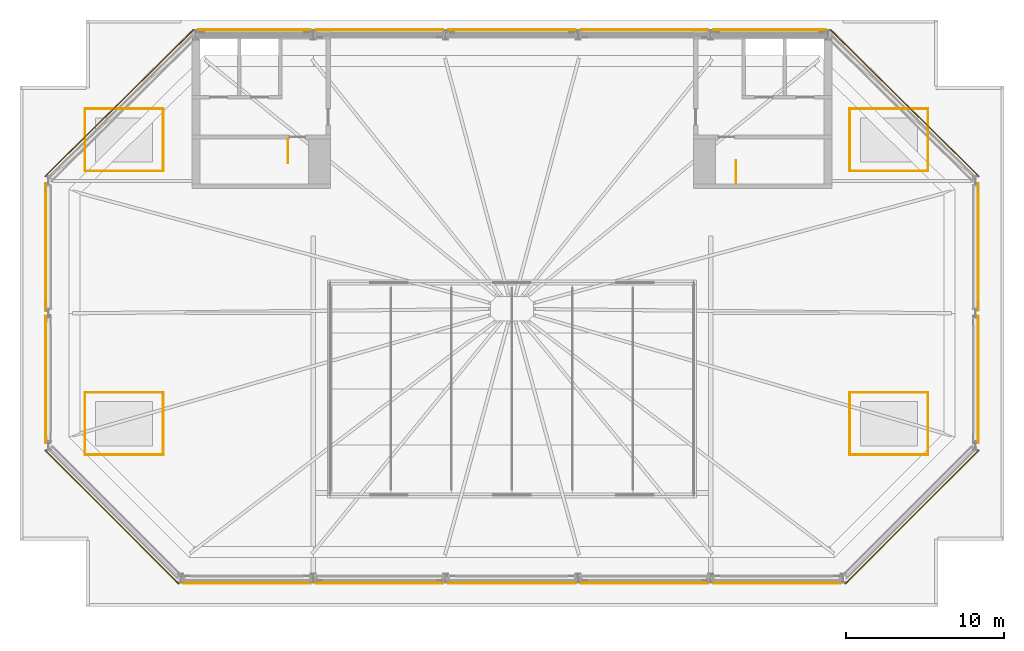
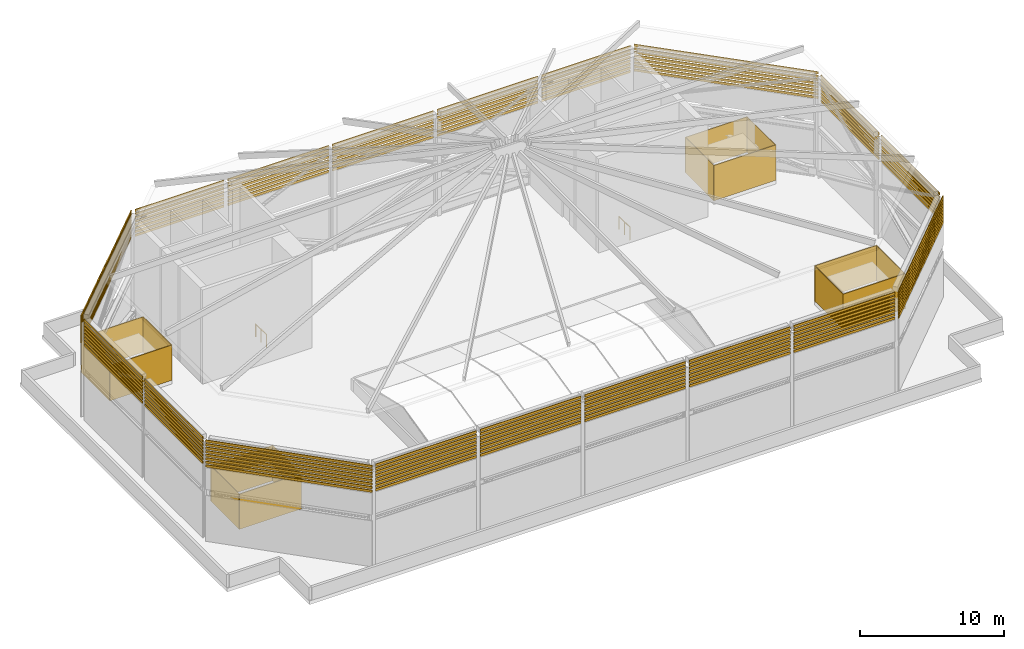
# One storey, part 21 of 22: 160 shading devices, 2 railings.
"""IFC4 building model written with IfcOpenShell, lengths in metres."""

from ifc_helpers import new_model, si_unit, direction, frame, origin, origin_2d, place, context, subcontext, project, spatial, rectangle, circle, extrude, material, type_object, element, save


model = new_model("IFC4")

# Units and contexts
model_context = context("Model", 3, precision=1e-05, world=origin(), true_north=direction((0.0, 1.0)))
body_context = subcontext(model_context, "Body", "Model", "MODEL_VIEW")
ifc_project = project(units=[si_unit("LENGTHUNIT", "METRE"), si_unit("AREAUNIT", "SQUARE_METRE"), si_unit("VOLUMEUNIT", "CUBIC_METRE"), si_unit("PLANEANGLEUNIT", "RADIAN"), si_unit("MASSUNIT", "GRAM", prefix="KILO")], contexts=[model_context])

# Site, building, storey
site_placement = place(None, origin())
site = spatial("IfcSite", under=ifc_project, at=site_placement, CompositionType="ELEMENT")
building_placement = place(site_placement, origin())
building = spatial("IfcBuilding", under=site, at=building_placement, Name="Saffron Gate Tower", CompositionType="ELEMENT")
storey_placement = place(building_placement, frame((0.0, 0.0, 314.85009765625)))
storey = spatial("IfcBuildingStorey", under=building, at=storey_placement, Name="Roof crown", CompositionType="ELEMENT", Elevation=314.85009765625)

# Railings
ifc_material = material(Name="Stainless steel and laminated glass", Category="steel")
railing_type = type_object("IfcRailingType", Name="CR1 Stair guard 1100", PredefinedType="GUARDRAIL", material=ifc_material)
railing_1_placement = place(storey_placement, frame((73.39990234375, 68.050048828125, 0.0)))
element("IfcRailing", 1, at=railing_1_placement, inside=storey, type_object=railing_type, Name="Roof crown ST-A top well guard 1", PredefinedType="GUARDRAIL", context=body_context, shape_type="SweptSolid", body=[
    extrude(circle(Radius=0.02392578125, at=origin_2d()), frame((0.0, 0.0, 1.076171875), z_axis=(0.0, -1.0, 0.0), x_axis=(1.0, 0.0, 0.0)), (0.0, 0.0, 1.0), 1.5),
    extrude(circle(Radius=0.02099609375, at=origin_2d()), origin(), (0.0, 0.0, 1.0), 1.052001953125),
    extrude(circle(Radius=0.02099609375, at=origin_2d()), frame((0.0, -0.75, 0.0)), (0.0, 0.0, 1.0), 1.052001953125),
    extrude(circle(Radius=0.02099609375, at=origin_2d()), frame((0.0, -1.5, 0.0)), (0.0, 0.0, 1.0), 1.052001953125),
])
railing_2_placement = place(storey_placement, frame((101.800048828125, 65.199951171875, 0.0)))
element("IfcRailing", 2, at=railing_2_placement, inside=storey, type_object=railing_type, Name="Roof crown ST-B top well guard 1", PredefinedType="GUARDRAIL", context=body_context, shape_type="SweptSolid", body=[
    extrude(circle(Radius=0.02392578125, at=origin_2d()), frame((0.0, 0.0, 1.076171875), z_axis=(0.0, 1.0, 0.0), x_axis=(-1.0, 0.0, 0.0)), (0.0, 0.0, 1.0), 1.5),
    extrude(circle(Radius=0.02099609375, at=origin_2d()), origin(), (0.0, 0.0, 1.0), 1.052001953125),
    extrude(circle(Radius=0.02099609375, at=origin_2d()), frame((0.0, 0.75, 0.0)), (0.0, 0.0, 1.0), 1.052001953125),
    extrude(circle(Radius=0.02099609375, at=origin_2d()), frame((0.0, 1.5, 0.0)), (0.0, 0.0, 1.0), 1.052001953125),
])

# Shading devices
for number, where, z_axis, x_axis, name in (
    (3, (70.800048828125, 39.875, 6.2998046875), (0.0, 0.0, 1.0), (1.0, 0.0, 0.0), "LOUVRE sky band"),
    (4, (70.800048828125, 39.875, 6.60009765625), (0.0, 0.0, 1.0), (1.0, 0.0, 0.0), "LOUVRE sky band"),
    (5, (70.800048828125, 39.875, 6.89990234375), (0.0, 0.0, 1.0), (1.0, 0.0, 0.0), "LOUVRE sky band"),
    (6, (70.800048828125, 39.875, 7.19970703125), (0.0, 0.0, 1.0), (1.0, 0.0, 0.0), "LOUVRE sky band"),
    (7, (70.800048828125, 39.875, 7.5), (0.0, 0.0, 1.0), (1.0, 0.0, 0.0), "LOUVRE sky band"),
    (8, (70.800048828125, 39.875, 7.7998046875), (0.0, 0.0, 1.0), (1.0, 0.0, 0.0), "LOUVRE sky band"),
    (9, (70.800048828125, 39.875, 8.10009765625), (0.0, 0.0, 1.0), (1.0, 0.0, 0.0), "LOUVRE sky band"),
    (10, (70.800048828125, 39.875, 8.39990234375), (0.0, 0.0, 1.0), (1.0, 0.0, 0.0), "LOUVRE sky band"),
    (11, (79.199951171875, 39.875, 6.2998046875), (0.0, 0.0, 1.0), (1.0, 0.0, 0.0), "LOUVRE sky band"),
    (12, (79.199951171875, 39.875, 6.60009765625), (0.0, 0.0, 1.0), (1.0, 0.0, 0.0), "LOUVRE sky band"),
    (13, (79.199951171875, 39.875, 6.89990234375), (0.0, 0.0, 1.0), (1.0, 0.0, 0.0), "LOUVRE sky band"),
    (14, (79.199951171875, 39.875, 7.19970703125), (0.0, 0.0, 1.0), (1.0, 0.0, 0.0), "LOUVRE sky band"),
    (15, (79.199951171875, 39.875, 7.5), (0.0, 0.0, 1.0), (1.0, 0.0, 0.0), "LOUVRE sky band"),
    (16, (79.199951171875, 39.875, 7.7998046875), (0.0, 0.0, 1.0), (1.0, 0.0, 0.0), "LOUVRE sky band"),
    (17, (79.199951171875, 39.875, 8.10009765625), (0.0, 0.0, 1.0), (1.0, 0.0, 0.0), "LOUVRE sky band"),
    (18, (79.199951171875, 39.875, 8.39990234375), (0.0, 0.0, 1.0), (1.0, 0.0, 0.0), "LOUVRE sky band"),
    (19, (87.60009765625, 39.875, 6.2998046875), (0.0, 0.0, 1.0), (1.0, 0.0, 0.0), "LOUVRE sky band"),
    (20, (87.60009765625, 39.875, 6.60009765625), (0.0, 0.0, 1.0), (1.0, 0.0, 0.0), "LOUVRE sky band"),
    (21, (87.60009765625, 39.875, 6.89990234375), (0.0, 0.0, 1.0), (1.0, 0.0, 0.0), "LOUVRE sky band"),
    (22, (87.60009765625, 39.875, 7.19970703125), (0.0, 0.0, 1.0), (1.0, 0.0, 0.0), "LOUVRE sky band"),
    (23, (87.60009765625, 39.875, 7.5), (0.0, 0.0, 1.0), (1.0, 0.0, 0.0), "LOUVRE sky band"),
    (24, (87.60009765625, 39.875, 7.7998046875), (0.0, 0.0, 1.0), (1.0, 0.0, 0.0), "LOUVRE sky band"),
    (25, (87.60009765625, 39.875, 8.10009765625), (0.0, 0.0, 1.0), (1.0, 0.0, 0.0), "LOUVRE sky band"),
    (26, (87.60009765625, 39.875, 8.39990234375), (0.0, 0.0, 1.0), (1.0, 0.0, 0.0), "LOUVRE sky band"),
    (27, (96.0, 39.875, 6.2998046875), (0.0, 0.0, 1.0), (1.0, 0.0, 0.0), "LOUVRE sky band"),
    (28, (96.0, 39.875, 6.60009765625), (0.0, 0.0, 1.0), (1.0, 0.0, 0.0), "LOUVRE sky band"),
    (29, (96.0, 39.875, 6.89990234375), (0.0, 0.0, 1.0), (1.0, 0.0, 0.0), "LOUVRE sky band"),
    (30, (96.0, 39.875, 7.19970703125), (0.0, 0.0, 1.0), (1.0, 0.0, 0.0), "LOUVRE sky band"),
    (31, (96.0, 39.875, 7.5), (0.0, 0.0, 1.0), (1.0, 0.0, 0.0), "LOUVRE sky band"),
    (32, (96.0, 39.875, 7.7998046875), (0.0, 0.0, 1.0), (1.0, 0.0, 0.0), "LOUVRE sky band"),
    (33, (96.0, 39.875, 8.10009765625), (0.0, 0.0, 1.0), (1.0, 0.0, 0.0), "LOUVRE sky band"),
    (34, (96.0, 39.875, 8.39990234375), (0.0, 0.0, 1.0), (1.0, 0.0, 0.0), "LOUVRE sky band"),
    (35, (104.39990234375, 39.875, 6.2998046875), (0.0, 0.0, 1.0), (1.0, 0.0, 0.0), "LOUVRE sky band"),
    (36, (104.39990234375, 39.875, 6.60009765625), (0.0, 0.0, 1.0), (1.0, 0.0, 0.0), "LOUVRE sky band"),
    (37, (104.39990234375, 39.875, 6.89990234375), (0.0, 0.0, 1.0), (1.0, 0.0, 0.0), "LOUVRE sky band"),
    (38, (104.39990234375, 39.875, 7.19970703125), (0.0, 0.0, 1.0), (1.0, 0.0, 0.0), "LOUVRE sky band"),
    (39, (104.39990234375, 39.875, 7.5), (0.0, 0.0, 1.0), (1.0, 0.0, 0.0), "LOUVRE sky band"),
    (40, (104.39990234375, 39.875, 7.7998046875), (0.0, 0.0, 1.0), (1.0, 0.0, 0.0), "LOUVRE sky band"),
    (41, (104.39990234375, 39.875, 8.10009765625), (0.0, 0.0, 1.0), (1.0, 0.0, 0.0), "LOUVRE sky band"),
    (42, (104.39990234375, 39.875, 8.39990234375), (0.0, 0.0, 1.0), (1.0, 0.0, 0.0), "LOUVRE sky band"),
):
    element("IfcShadingDevice", number, at=place(storey_placement, frame(where, z_axis=z_axis, x_axis=x_axis)), inside=storey, Name=name, ObjectType="LOUVRE", PredefinedType="USERDEFINED", context=body_context, shape_type="SweptSolid", body=[
        extrude(rectangle(XDim=8.10009765625, YDim=0.050048828125, at=origin_2d()), origin(), (0.0, 0.0, 1.0), 0.199951171875),
    ])
for number, where, z_axis, x_axis, name in (
    (43, (112.967041015625, 44.0830078125, 6.2998046875), (0.0, 0.0, 1.0), (0.707106781187, 0.707106781187, 0.0), "LOUVRE sky band"),
    (44, (112.967041015625, 44.0830078125, 6.60009765625), (0.0, 0.0, 1.0), (0.707106781187, 0.707106781187, 0.0), "LOUVRE sky band"),
    (45, (112.967041015625, 44.0830078125, 6.89990234375), (0.0, 0.0, 1.0), (0.707106781187, 0.707106781187, 0.0), "LOUVRE sky band"),
    (46, (112.967041015625, 44.0830078125, 7.19970703125), (0.0, 0.0, 1.0), (0.707106781187, 0.707106781187, 0.0), "LOUVRE sky band"),
    (47, (112.967041015625, 44.0830078125, 7.5), (0.0, 0.0, 1.0), (0.707106781187, 0.707106781187, 0.0), "LOUVRE sky band"),
    (48, (112.967041015625, 44.0830078125, 7.7998046875), (0.0, 0.0, 1.0), (0.707106781187, 0.707106781187, 0.0), "LOUVRE sky band"),
    (49, (112.967041015625, 44.0830078125, 8.10009765625), (0.0, 0.0, 1.0), (0.707106781187, 0.707106781187, 0.0), "LOUVRE sky band"),
    (50, (112.967041015625, 44.0830078125, 8.39990234375), (0.0, 0.0, 1.0), (0.707106781187, 0.707106781187, 0.0), "LOUVRE sky band"),
):
    element("IfcShadingDevice", number, at=place(storey_placement, frame(where, z_axis=z_axis, x_axis=x_axis)), inside=storey, Name=name, ObjectType="LOUVRE", PredefinedType="USERDEFINED", context=body_context, shape_type="SweptSolid", body=[
        extrude(rectangle(XDim=11.9794921875, YDim=0.050048828125, at=origin_2d()), origin(), (0.0, 0.0, 1.0), 0.199951171875),
    ])
for number, where, z_axis, x_axis, name in (
    (51, (117.175048828125, 52.800048828125, 6.2998046875), (0.0, 0.0, 1.0), (0.0, 1.0, 0.0), "LOUVRE sky band"),
    (52, (117.175048828125, 52.800048828125, 6.60009765625), (0.0, 0.0, 1.0), (0.0, 1.0, 0.0), "LOUVRE sky band"),
    (53, (117.175048828125, 52.800048828125, 6.89990234375), (0.0, 0.0, 1.0), (0.0, 1.0, 0.0), "LOUVRE sky band"),
    (54, (117.175048828125, 52.800048828125, 7.19970703125), (0.0, 0.0, 1.0), (0.0, 1.0, 0.0), "LOUVRE sky band"),
    (55, (117.175048828125, 52.800048828125, 7.5), (0.0, 0.0, 1.0), (0.0, 1.0, 0.0), "LOUVRE sky band"),
    (56, (117.175048828125, 52.800048828125, 7.7998046875), (0.0, 0.0, 1.0), (0.0, 1.0, 0.0), "LOUVRE sky band"),
    (57, (117.175048828125, 52.800048828125, 8.10009765625), (0.0, 0.0, 1.0), (0.0, 1.0, 0.0), "LOUVRE sky band"),
    (58, (117.175048828125, 52.800048828125, 8.39990234375), (0.0, 0.0, 1.0), (0.0, 1.0, 0.0), "LOUVRE sky band"),
    (59, (117.175048828125, 61.199951171875, 6.2998046875), (0.0, 0.0, 1.0), (0.0, 1.0, 0.0), "LOUVRE sky band"),
    (60, (117.175048828125, 61.199951171875, 6.60009765625), (0.0, 0.0, 1.0), (0.0, 1.0, 0.0), "LOUVRE sky band"),
    (61, (117.175048828125, 61.199951171875, 6.89990234375), (0.0, 0.0, 1.0), (0.0, 1.0, 0.0), "LOUVRE sky band"),
    (62, (117.175048828125, 61.199951171875, 7.19970703125), (0.0, 0.0, 1.0), (0.0, 1.0, 0.0), "LOUVRE sky band"),
    (63, (117.175048828125, 61.199951171875, 7.5), (0.0, 0.0, 1.0), (0.0, 1.0, 0.0), "LOUVRE sky band"),
    (64, (117.175048828125, 61.199951171875, 7.7998046875), (0.0, 0.0, 1.0), (0.0, 1.0, 0.0), "LOUVRE sky band"),
    (65, (117.175048828125, 61.199951171875, 8.10009765625), (0.0, 0.0, 1.0), (0.0, 1.0, 0.0), "LOUVRE sky band"),
    (66, (117.175048828125, 61.199951171875, 8.39990234375), (0.0, 0.0, 1.0), (0.0, 1.0, 0.0), "LOUVRE sky band"),
):
    element("IfcShadingDevice", number, at=place(storey_placement, frame(where, z_axis=z_axis, x_axis=x_axis)), inside=storey, Name=name, ObjectType="LOUVRE", PredefinedType="USERDEFINED", context=body_context, shape_type="SweptSolid", body=[
        extrude(rectangle(XDim=8.10009765625, YDim=0.050048828125, at=origin_2d()), origin(), (0.0, 0.0, 1.0), 0.199951171875),
    ])
for number, where, z_axis, x_axis, name in (
    (67, (112.491943359375, 70.34228515625, 6.2998046875), (0.0, 0.0, 1.0), (-0.710898156335, 0.703294967507, 0.0), "LOUVRE sky band"),
    (68, (112.491943359375, 70.34228515625, 6.60009765625), (0.0, 0.0, 1.0), (-0.710898156335, 0.703294967507, 0.0), "LOUVRE sky band"),
    (69, (112.491943359375, 70.34228515625, 6.89990234375), (0.0, 0.0, 1.0), (-0.710898156335, 0.703294967507, 0.0), "LOUVRE sky band"),
    (70, (112.491943359375, 70.34228515625, 7.19970703125), (0.0, 0.0, 1.0), (-0.710898156335, 0.703294967507, 0.0), "LOUVRE sky band"),
    (71, (112.491943359375, 70.34228515625, 7.5), (0.0, 0.0, 1.0), (-0.710898156335, 0.703294967507, 0.0), "LOUVRE sky band"),
    (72, (112.491943359375, 70.34228515625, 7.7998046875), (0.0, 0.0, 1.0), (-0.710898156335, 0.703294967507, 0.0), "LOUVRE sky band"),
    (73, (112.491943359375, 70.34228515625, 8.10009765625), (0.0, 0.0, 1.0), (-0.710898156335, 0.703294967507, 0.0), "LOUVRE sky band"),
    (74, (112.491943359375, 70.34228515625, 8.39990234375), (0.0, 0.0, 1.0), (-0.710898156335, 0.703294967507, 0.0), "LOUVRE sky band"),
):
    element("IfcShadingDevice", number, at=place(storey_placement, frame(where, z_axis=z_axis, x_axis=x_axis)), inside=storey, Name=name, ObjectType="LOUVRE", PredefinedType="USERDEFINED", context=body_context, shape_type="SweptSolid", body=[
        extrude(rectangle(XDim=13.25244140625, YDim=0.050048828125, at=origin_2d()), origin(), (0.0, 0.0, 1.0), 0.199951171875),
    ])
for number, where, z_axis, x_axis, name in (
    (75, (103.925048828125, 74.97509765625, 6.2998046875), (0.0, 0.0, 1.0), (-1.0, 0.0, 0.0), "LOUVRE sky band"),
    (76, (103.925048828125, 74.97509765625, 6.60009765625), (0.0, 0.0, 1.0), (-1.0, 0.0, 0.0), "LOUVRE sky band"),
    (77, (103.925048828125, 74.97509765625, 6.89990234375), (0.0, 0.0, 1.0), (-1.0, 0.0, 0.0), "LOUVRE sky band"),
    (78, (103.925048828125, 74.97509765625, 7.19970703125), (0.0, 0.0, 1.0), (-1.0, 0.0, 0.0), "LOUVRE sky band"),
    (79, (103.925048828125, 74.97509765625, 7.5), (0.0, 0.0, 1.0), (-1.0, 0.0, 0.0), "LOUVRE sky band"),
    (80, (103.925048828125, 74.97509765625, 7.7998046875), (0.0, 0.0, 1.0), (-1.0, 0.0, 0.0), "LOUVRE sky band"),
    (81, (103.925048828125, 74.97509765625, 8.10009765625), (0.0, 0.0, 1.0), (-1.0, 0.0, 0.0), "LOUVRE sky band"),
    (82, (103.925048828125, 74.97509765625, 8.39990234375), (0.0, 0.0, 1.0), (-1.0, 0.0, 0.0), "LOUVRE sky band"),
):
    element("IfcShadingDevice", number, at=place(storey_placement, frame(where, z_axis=z_axis, x_axis=x_axis)), inside=storey, Name=name, ObjectType="LOUVRE", PredefinedType="USERDEFINED", context=body_context, shape_type="SweptSolid", body=[
        extrude(rectangle(XDim=7.14990234375, YDim=0.050048828125, at=origin_2d()), origin(), (0.0, 0.0, 1.0), 0.199951171875),
    ])
for number, where, z_axis, x_axis, name in (
    (83, (96.0, 74.97509765625, 6.2998046875), (0.0, 0.0, 1.0), (-1.0, 0.0, 0.0), "LOUVRE sky band"),
    (84, (96.0, 74.97509765625, 6.60009765625), (0.0, 0.0, 1.0), (-1.0, 0.0, 0.0), "LOUVRE sky band"),
    (85, (96.0, 74.97509765625, 6.89990234375), (0.0, 0.0, 1.0), (-1.0, 0.0, 0.0), "LOUVRE sky band"),
    (86, (96.0, 74.97509765625, 7.19970703125), (0.0, 0.0, 1.0), (-1.0, 0.0, 0.0), "LOUVRE sky band"),
    (87, (96.0, 74.97509765625, 7.5), (0.0, 0.0, 1.0), (-1.0, 0.0, 0.0), "LOUVRE sky band"),
    (88, (96.0, 74.97509765625, 7.7998046875), (0.0, 0.0, 1.0), (-1.0, 0.0, 0.0), "LOUVRE sky band"),
    (89, (96.0, 74.97509765625, 8.10009765625), (0.0, 0.0, 1.0), (-1.0, 0.0, 0.0), "LOUVRE sky band"),
    (90, (96.0, 74.97509765625, 8.39990234375), (0.0, 0.0, 1.0), (-1.0, 0.0, 0.0), "LOUVRE sky band"),
    (91, (87.60009765625, 74.97509765625, 6.2998046875), (0.0, 0.0, 1.0), (-1.0, 0.0, 0.0), "LOUVRE sky band"),
    (92, (87.60009765625, 74.97509765625, 6.60009765625), (0.0, 0.0, 1.0), (-1.0, 0.0, 0.0), "LOUVRE sky band"),
    (93, (87.60009765625, 74.97509765625, 6.89990234375), (0.0, 0.0, 1.0), (-1.0, 0.0, 0.0), "LOUVRE sky band"),
    (94, (87.60009765625, 74.97509765625, 7.19970703125), (0.0, 0.0, 1.0), (-1.0, 0.0, 0.0), "LOUVRE sky band"),
    (95, (87.60009765625, 74.97509765625, 7.5), (0.0, 0.0, 1.0), (-1.0, 0.0, 0.0), "LOUVRE sky band"),
    (96, (87.60009765625, 74.97509765625, 7.7998046875), (0.0, 0.0, 1.0), (-1.0, 0.0, 0.0), "LOUVRE sky band"),
    (97, (87.60009765625, 74.97509765625, 8.10009765625), (0.0, 0.0, 1.0), (-1.0, 0.0, 0.0), "LOUVRE sky band"),
    (98, (87.60009765625, 74.97509765625, 8.39990234375), (0.0, 0.0, 1.0), (-1.0, 0.0, 0.0), "LOUVRE sky band"),
    (99, (79.199951171875, 74.97509765625, 6.2998046875), (0.0, 0.0, 1.0), (-1.0, 0.0, 0.0), "LOUVRE sky band"),
    (100, (79.199951171875, 74.97509765625, 6.60009765625), (0.0, 0.0, 1.0), (-1.0, 0.0, 0.0), "LOUVRE sky band"),
    (101, (79.199951171875, 74.97509765625, 6.89990234375), (0.0, 0.0, 1.0), (-1.0, 0.0, 0.0), "LOUVRE sky band"),
    (102, (79.199951171875, 74.97509765625, 7.19970703125), (0.0, 0.0, 1.0), (-1.0, 0.0, 0.0), "LOUVRE sky band"),
    (103, (79.199951171875, 74.97509765625, 7.5), (0.0, 0.0, 1.0), (-1.0, 0.0, 0.0), "LOUVRE sky band"),
    (104, (79.199951171875, 74.97509765625, 7.7998046875), (0.0, 0.0, 1.0), (-1.0, 0.0, 0.0), "LOUVRE sky band"),
    (105, (79.199951171875, 74.97509765625, 8.10009765625), (0.0, 0.0, 1.0), (-1.0, 0.0, 0.0), "LOUVRE sky band"),
    (106, (79.199951171875, 74.97509765625, 8.39990234375), (0.0, 0.0, 1.0), (-1.0, 0.0, 0.0), "LOUVRE sky band"),
):
    element("IfcShadingDevice", number, at=place(storey_placement, frame(where, z_axis=z_axis, x_axis=x_axis)), inside=storey, Name=name, ObjectType="LOUVRE", PredefinedType="USERDEFINED", context=body_context, shape_type="SweptSolid", body=[
        extrude(rectangle(XDim=8.10009765625, YDim=0.050048828125, at=origin_2d()), origin(), (0.0, 0.0, 1.0), 0.199951171875),
    ])
for number, where, z_axis, x_axis, name in (
    (107, (71.27490234375, 74.97509765625, 6.2998046875), (0.0, 0.0, 1.0), (-1.0, 0.0, 0.0), "LOUVRE sky band"),
    (108, (71.27490234375, 74.97509765625, 6.60009765625), (0.0, 0.0, 1.0), (-1.0, 0.0, 0.0), "LOUVRE sky band"),
    (109, (71.27490234375, 74.97509765625, 6.89990234375), (0.0, 0.0, 1.0), (-1.0, 0.0, 0.0), "LOUVRE sky band"),
    (110, (71.27490234375, 74.97509765625, 7.19970703125), (0.0, 0.0, 1.0), (-1.0, 0.0, 0.0), "LOUVRE sky band"),
    (111, (71.27490234375, 74.97509765625, 7.5), (0.0, 0.0, 1.0), (-1.0, 0.0, 0.0), "LOUVRE sky band"),
    (112, (71.27490234375, 74.97509765625, 7.7998046875), (0.0, 0.0, 1.0), (-1.0, 0.0, 0.0), "LOUVRE sky band"),
    (113, (71.27490234375, 74.97509765625, 8.10009765625), (0.0, 0.0, 1.0), (-1.0, 0.0, 0.0), "LOUVRE sky band"),
    (114, (71.27490234375, 74.97509765625, 8.39990234375), (0.0, 0.0, 1.0), (-1.0, 0.0, 0.0), "LOUVRE sky band"),
):
    element("IfcShadingDevice", number, at=place(storey_placement, frame(where, z_axis=z_axis, x_axis=x_axis)), inside=storey, Name=name, ObjectType="LOUVRE", PredefinedType="USERDEFINED", context=body_context, shape_type="SweptSolid", body=[
        extrude(rectangle(XDim=7.14990234375, YDim=0.050048828125, at=origin_2d()), origin(), (0.0, 0.0, 1.0), 0.199951171875),
    ])
for number, where, z_axis, x_axis, name in (
    (115, (62.7080078125, 70.34228515625, 6.2998046875), (0.0, 0.0, 1.0), (-0.710898156335, -0.703294967507, 0.0), "LOUVRE sky band"),
    (116, (62.7080078125, 70.34228515625, 6.60009765625), (0.0, 0.0, 1.0), (-0.710898156335, -0.703294967507, 0.0), "LOUVRE sky band"),
    (117, (62.7080078125, 70.34228515625, 6.89990234375), (0.0, 0.0, 1.0), (-0.710898156335, -0.703294967507, 0.0), "LOUVRE sky band"),
    (118, (62.7080078125, 70.34228515625, 7.19970703125), (0.0, 0.0, 1.0), (-0.710898156335, -0.703294967507, 0.0), "LOUVRE sky band"),
    (119, (62.7080078125, 70.34228515625, 7.5), (0.0, 0.0, 1.0), (-0.710898156335, -0.703294967507, 0.0), "LOUVRE sky band"),
    (120, (62.7080078125, 70.34228515625, 7.7998046875), (0.0, 0.0, 1.0), (-0.710898156335, -0.703294967507, 0.0), "LOUVRE sky band"),
    (121, (62.7080078125, 70.34228515625, 8.10009765625), (0.0, 0.0, 1.0), (-0.710898156335, -0.703294967507, 0.0), "LOUVRE sky band"),
    (122, (62.7080078125, 70.34228515625, 8.39990234375), (0.0, 0.0, 1.0), (-0.710898156335, -0.703294967507, 0.0), "LOUVRE sky band"),
):
    element("IfcShadingDevice", number, at=place(storey_placement, frame(where, z_axis=z_axis, x_axis=x_axis)), inside=storey, Name=name, ObjectType="LOUVRE", PredefinedType="USERDEFINED", context=body_context, shape_type="SweptSolid", body=[
        extrude(rectangle(XDim=13.25244140625, YDim=0.050048828125, at=origin_2d()), origin(), (0.0, 0.0, 1.0), 0.199951171875),
    ])
for number, where, z_axis, x_axis, name in (
    (123, (58.02490234375, 61.199951171875, 6.2998046875), (0.0, 0.0, 1.0), (0.0, -1.0, 0.0), "LOUVRE sky band"),
    (124, (58.02490234375, 61.199951171875, 6.60009765625), (0.0, 0.0, 1.0), (0.0, -1.0, 0.0), "LOUVRE sky band"),
    (125, (58.02490234375, 61.199951171875, 6.89990234375), (0.0, 0.0, 1.0), (0.0, -1.0, 0.0), "LOUVRE sky band"),
    (126, (58.02490234375, 61.199951171875, 7.19970703125), (0.0, 0.0, 1.0), (0.0, -1.0, 0.0), "LOUVRE sky band"),
    (127, (58.02490234375, 61.199951171875, 7.5), (0.0, 0.0, 1.0), (0.0, -1.0, 0.0), "LOUVRE sky band"),
    (128, (58.02490234375, 61.199951171875, 7.7998046875), (0.0, 0.0, 1.0), (0.0, -1.0, 0.0), "LOUVRE sky band"),
    (129, (58.02490234375, 61.199951171875, 8.10009765625), (0.0, 0.0, 1.0), (0.0, -1.0, 0.0), "LOUVRE sky band"),
    (130, (58.02490234375, 61.199951171875, 8.39990234375), (0.0, 0.0, 1.0), (0.0, -1.0, 0.0), "LOUVRE sky band"),
    (131, (58.02490234375, 52.800048828125, 6.2998046875), (0.0, 0.0, 1.0), (0.0, -1.0, 0.0), "LOUVRE sky band"),
    (132, (58.02490234375, 52.800048828125, 6.60009765625), (0.0, 0.0, 1.0), (0.0, -1.0, 0.0), "LOUVRE sky band"),
    (133, (58.02490234375, 52.800048828125, 6.89990234375), (0.0, 0.0, 1.0), (0.0, -1.0, 0.0), "LOUVRE sky band"),
    (134, (58.02490234375, 52.800048828125, 7.19970703125), (0.0, 0.0, 1.0), (0.0, -1.0, 0.0), "LOUVRE sky band"),
    (135, (58.02490234375, 52.800048828125, 7.5), (0.0, 0.0, 1.0), (0.0, -1.0, 0.0), "LOUVRE sky band"),
    (136, (58.02490234375, 52.800048828125, 7.7998046875), (0.0, 0.0, 1.0), (0.0, -1.0, 0.0), "LOUVRE sky band"),
    (137, (58.02490234375, 52.800048828125, 8.10009765625), (0.0, 0.0, 1.0), (0.0, -1.0, 0.0), "LOUVRE sky band"),
    (138, (58.02490234375, 52.800048828125, 8.39990234375), (0.0, 0.0, 1.0), (0.0, -1.0, 0.0), "LOUVRE sky band"),
):
    element("IfcShadingDevice", number, at=place(storey_placement, frame(where, z_axis=z_axis, x_axis=x_axis)), inside=storey, Name=name, ObjectType="LOUVRE", PredefinedType="USERDEFINED", context=body_context, shape_type="SweptSolid", body=[
        extrude(rectangle(XDim=8.10009765625, YDim=0.050048828125, at=origin_2d()), origin(), (0.0, 0.0, 1.0), 0.199951171875),
    ])
for number, where, z_axis, x_axis, name in (
    (139, (62.23291015625, 44.0830078125, 6.2998046875), (0.0, 0.0, 1.0), (0.707106781187, -0.707106781187, 0.0), "LOUVRE sky band"),
    (140, (62.23291015625, 44.0830078125, 6.60009765625), (0.0, 0.0, 1.0), (0.707106781187, -0.707106781187, 0.0), "LOUVRE sky band"),
    (141, (62.23291015625, 44.0830078125, 6.89990234375), (0.0, 0.0, 1.0), (0.707106781187, -0.707106781187, 0.0), "LOUVRE sky band"),
    (142, (62.23291015625, 44.0830078125, 7.19970703125), (0.0, 0.0, 1.0), (0.707106781187, -0.707106781187, 0.0), "LOUVRE sky band"),
    (143, (62.23291015625, 44.0830078125, 7.5), (0.0, 0.0, 1.0), (0.707106781187, -0.707106781187, 0.0), "LOUVRE sky band"),
    (144, (62.23291015625, 44.0830078125, 7.7998046875), (0.0, 0.0, 1.0), (0.707106781187, -0.707106781187, 0.0), "LOUVRE sky band"),
    (145, (62.23291015625, 44.0830078125, 8.10009765625), (0.0, 0.0, 1.0), (0.707106781187, -0.707106781187, 0.0), "LOUVRE sky band"),
    (146, (62.23291015625, 44.0830078125, 8.39990234375), (0.0, 0.0, 1.0), (0.707106781187, -0.707106781187, 0.0), "LOUVRE sky band"),
):
    element("IfcShadingDevice", number, at=place(storey_placement, frame(where, z_axis=z_axis, x_axis=x_axis)), inside=storey, Name=name, ObjectType="LOUVRE", PredefinedType="USERDEFINED", context=body_context, shape_type="SweptSolid", body=[
        extrude(rectangle(XDim=11.9794921875, YDim=0.050048828125, at=origin_2d()), origin(), (0.0, 0.0, 1.0), 0.199951171875),
    ])
for number, where, z_axis, x_axis, name in (
    (147, (63.0, 48.02490234375, 0.2998046875), (0.0, 0.0, 1.0), (1.0, 0.0, 0.0), "LOUVRE plant enclosure"),
    (148, (63.0, 51.97509765625, 0.2998046875), (0.0, 0.0, 1.0), (1.0, 0.0, 0.0), "LOUVRE plant enclosure"),
):
    element("IfcShadingDevice", number, at=place(storey_placement, frame(where, z_axis=z_axis, x_axis=x_axis)), inside=storey, Name=name, ObjectType="LOUVRE", PredefinedType="USERDEFINED", context=body_context, shape_type="SweptSolid", body=[
        extrude(rectangle(XDim=5.0, YDim=0.050048828125, at=origin_2d()), origin(), (0.0, 0.0, 1.0), 3.0),
    ])
for number, where, z_axis, x_axis, name in (
    (149, (60.52490234375, 50.0, 0.2998046875), (0.0, 0.0, 1.0), (1.0, 0.0, 0.0), "LOUVRE plant enclosure"),
    (150, (65.47509765625, 50.0, 0.2998046875), (0.0, 0.0, 1.0), (1.0, 0.0, 0.0), "LOUVRE plant enclosure"),
):
    element("IfcShadingDevice", number, at=place(storey_placement, frame(where, z_axis=z_axis, x_axis=x_axis)), inside=storey, Name=name, ObjectType="LOUVRE", PredefinedType="USERDEFINED", context=body_context, shape_type="SweptSolid", body=[
        extrude(rectangle(XDim=0.050048828125, YDim=3.89990234375, at=origin_2d()), origin(), (0.0, 0.0, 1.0), 3.0),
    ])
for number, where, z_axis, x_axis, name in (
    (151, (63.0, 66.02490234375, 0.2998046875), (0.0, 0.0, 1.0), (1.0, 0.0, 0.0), "LOUVRE plant enclosure"),
    (152, (63.0, 69.97509765625, 0.2998046875), (0.0, 0.0, 1.0), (1.0, 0.0, 0.0), "LOUVRE plant enclosure"),
):
    element("IfcShadingDevice", number, at=place(storey_placement, frame(where, z_axis=z_axis, x_axis=x_axis)), inside=storey, Name=name, ObjectType="LOUVRE", PredefinedType="USERDEFINED", context=body_context, shape_type="SweptSolid", body=[
        extrude(rectangle(XDim=5.0, YDim=0.050048828125, at=origin_2d()), origin(), (0.0, 0.0, 1.0), 3.0),
    ])
for number, where, z_axis, x_axis, name in (
    (153, (60.52490234375, 68.0, 0.2998046875), (0.0, 0.0, 1.0), (1.0, 0.0, 0.0), "LOUVRE plant enclosure"),
    (154, (65.47509765625, 68.0, 0.2998046875), (0.0, 0.0, 1.0), (1.0, 0.0, 0.0), "LOUVRE plant enclosure"),
):
    element("IfcShadingDevice", number, at=place(storey_placement, frame(where, z_axis=z_axis, x_axis=x_axis)), inside=storey, Name=name, ObjectType="LOUVRE", PredefinedType="USERDEFINED", context=body_context, shape_type="SweptSolid", body=[
        extrude(rectangle(XDim=0.050048828125, YDim=3.89990234375, at=origin_2d()), origin(), (0.0, 0.0, 1.0), 3.0),
    ])
for number, where, z_axis, x_axis, name in (
    (155, (111.5, 48.02490234375, 0.2998046875), (0.0, 0.0, 1.0), (1.0, 0.0, 0.0), "LOUVRE plant enclosure"),
    (156, (111.5, 51.97509765625, 0.2998046875), (0.0, 0.0, 1.0), (1.0, 0.0, 0.0), "LOUVRE plant enclosure"),
):
    element("IfcShadingDevice", number, at=place(storey_placement, frame(where, z_axis=z_axis, x_axis=x_axis)), inside=storey, Name=name, ObjectType="LOUVRE", PredefinedType="USERDEFINED", context=body_context, shape_type="SweptSolid", body=[
        extrude(rectangle(XDim=5.0, YDim=0.050048828125, at=origin_2d()), origin(), (0.0, 0.0, 1.0), 3.0),
    ])
for number, where, z_axis, x_axis, name in (
    (157, (109.02490234375, 50.0, 0.2998046875), (0.0, 0.0, 1.0), (1.0, 0.0, 0.0), "LOUVRE plant enclosure"),
    (158, (113.97509765625, 50.0, 0.2998046875), (0.0, 0.0, 1.0), (1.0, 0.0, 0.0), "LOUVRE plant enclosure"),
):
    element("IfcShadingDevice", number, at=place(storey_placement, frame(where, z_axis=z_axis, x_axis=x_axis)), inside=storey, Name=name, ObjectType="LOUVRE", PredefinedType="USERDEFINED", context=body_context, shape_type="SweptSolid", body=[
        extrude(rectangle(XDim=0.050048828125, YDim=3.89990234375, at=origin_2d()), origin(), (0.0, 0.0, 1.0), 3.0),
    ])
for number, where, z_axis, x_axis, name in (
    (159, (111.5, 66.02490234375, 0.2998046875), (0.0, 0.0, 1.0), (1.0, 0.0, 0.0), "LOUVRE plant enclosure"),
    (160, (111.5, 69.97509765625, 0.2998046875), (0.0, 0.0, 1.0), (1.0, 0.0, 0.0), "LOUVRE plant enclosure"),
):
    element("IfcShadingDevice", number, at=place(storey_placement, frame(where, z_axis=z_axis, x_axis=x_axis)), inside=storey, Name=name, ObjectType="LOUVRE", PredefinedType="USERDEFINED", context=body_context, shape_type="SweptSolid", body=[
        extrude(rectangle(XDim=5.0, YDim=0.050048828125, at=origin_2d()), origin(), (0.0, 0.0, 1.0), 3.0),
    ])
for number, where, z_axis, x_axis, name in (
    (161, (109.02490234375, 68.0, 0.2998046875), (0.0, 0.0, 1.0), (1.0, 0.0, 0.0), "LOUVRE plant enclosure"),
    (162, (113.97509765625, 68.0, 0.2998046875), (0.0, 0.0, 1.0), (1.0, 0.0, 0.0), "LOUVRE plant enclosure"),
):
    element("IfcShadingDevice", number, at=place(storey_placement, frame(where, z_axis=z_axis, x_axis=x_axis)), inside=storey, Name=name, ObjectType="LOUVRE", PredefinedType="USERDEFINED", context=body_context, shape_type="SweptSolid", body=[
        extrude(rectangle(XDim=0.050048828125, YDim=3.89990234375, at=origin_2d()), origin(), (0.0, 0.0, 1.0), 3.0),
    ])

save(model, "model.ifc")
